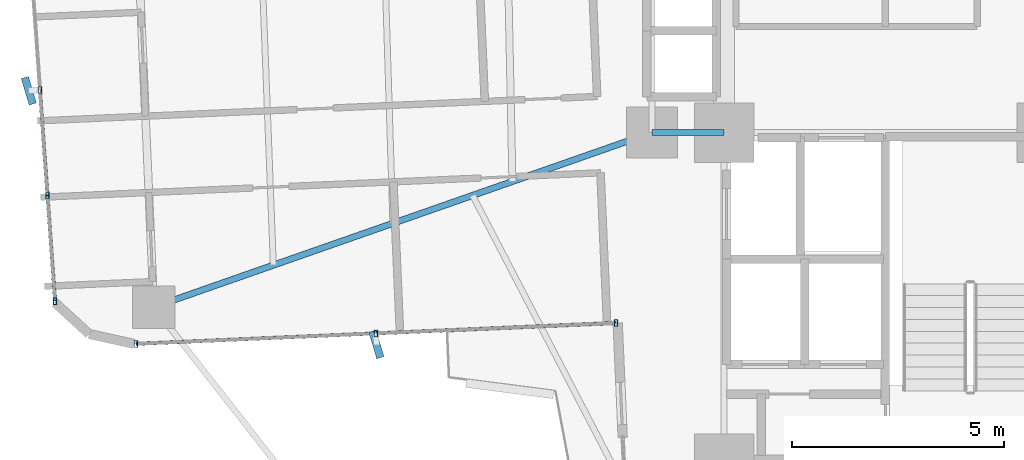
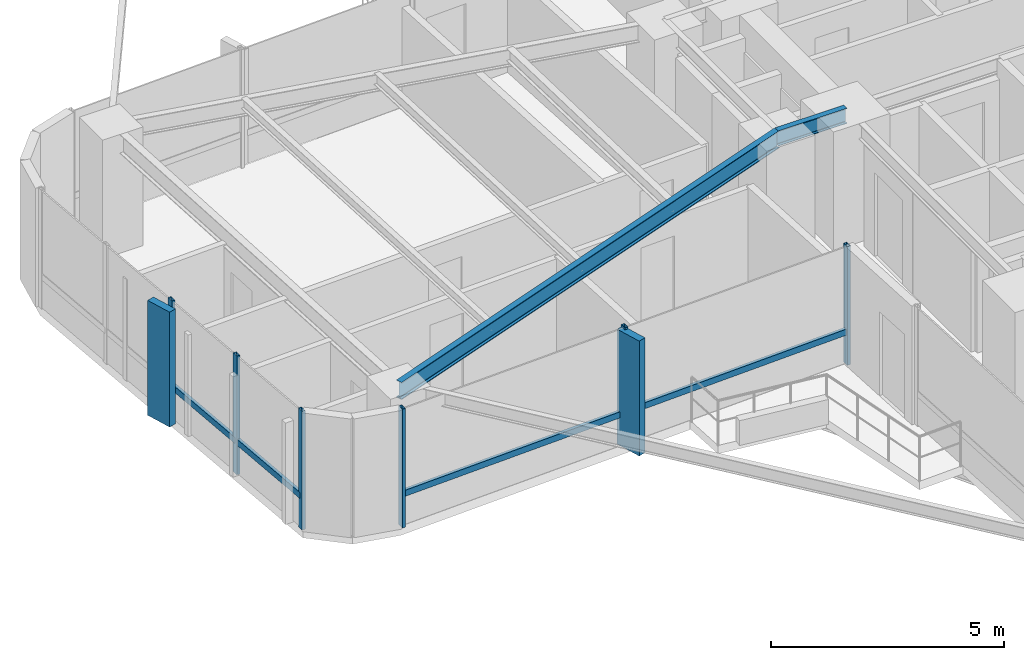
# One storey, part 8 of 26: 12 members, 2 beams, 2 elements without a shape of their own.
"""IFC4 building model written with IfcOpenShell, lengths in metres."""

from ifc_helpers import new_model, si_unit, direction, frame, origin, origin_2d, place, context, subcontext, project, spatial, rectangle, hollow_rectangle, i_section, extrude, source, transform, mapped, material, material_profile, profile_set, type_object, element, aggregate, save


model = new_model("IFC4")

# Units and contexts
model_context = context("Model", 3, precision=1e-05, world=origin(), true_north=direction((0.0, 1.0)))
body_context = subcontext(model_context, "Body", "Model", "MODEL_VIEW")
ifc_project = project(units=[si_unit("LENGTHUNIT", "METRE"), si_unit("AREAUNIT", "SQUARE_METRE"), si_unit("VOLUMEUNIT", "CUBIC_METRE"), si_unit("PLANEANGLEUNIT", "RADIAN"), si_unit("MASSUNIT", "GRAM", prefix="KILO")], contexts=[model_context])

# Site, building, storey
site_placement = place(None, origin())
site = spatial("IfcSite", under=ifc_project, at=site_placement, CompositionType="ELEMENT")
building_placement = place(site_placement, origin())
building = spatial("IfcBuilding", under=site, at=building_placement, Name="Sahyath Konkavel Grand Hotel", CompositionType="ELEMENT")
storey_placement = place(building_placement, frame((0.0, 0.0, 111.449951171875)))
storey = spatial("IfcBuildingStorey", under=building, at=storey_placement, Name="L30", CompositionType="ELEMENT", Elevation=111.449951171875)

# Beams
ifc_material_1 = material(Name="Steel E350", Category="steel")
ifc_material_profile_1 = material_profile(ifc_material_1, i_section(OverallWidth=0.139892578125, OverallDepth=0.39990234375, WebThickness=0.0087890625, FlangeThickness=0.01611328125, FilletRadius=0.013916015625, at=origin_2d()), Name="ISMB 400")
ifc_profile_set_1 = profile_set([ifc_material_profile_1], Name="Steel E350")
beam_type_1 = type_object("IfcBeamType", Name="BM-ISMB400", PredefinedType="BEAM", material=ifc_profile_set_1)
shared_shape_1 = source(origin(), body_context, "Body", "SweptSolid", [
    extrude(i_section(OverallWidth=0.139892578125, OverallDepth=0.39990234375, WebThickness=0.0087890625, FlangeThickness=0.01611328125, FilletRadius=0.013916015625, at=origin_2d()), origin(), (0.0, 0.0, 1.0), 1.699951171875),
])
beam_1_placement = place(storey_placement, frame((-5.5, -2.39990234375, 2.91015625), z_axis=(1.0, 0.0, 0.0), x_axis=(0.0, 1.0, 0.0)))
element("IfcBeam", 1, at=beam_1_placement, inside=storey, type_object=beam_type_1, Name="str:bm:L30:HB-SW", PredefinedType="BEAM", context=body_context, shape_type="MappedRepresentation", body=[
    mapped(shared_shape_1, transform((0.0, 0.0, 0.0), scale=1.0)),
])
ifc_material_profile_2 = material_profile(ifc_material_1, i_section(OverallWidth=0.14990234375, OverallDepth=0.449951171875, WebThickness=0.009521484375, FlangeThickness=0.017333984375, FilletRadius=0.014892578125, at=origin_2d()), Name="ISMB 450")
ifc_profile_set_2 = profile_set([ifc_material_profile_2], Name="Steel E350")
beam_type_2 = type_object("IfcBeamType", Name="BM-ISMB450", PredefinedType="BEAM", material=ifc_profile_set_2)
shared_shape_2 = source(origin(), body_context, "Body", "SweptSolid", [
    extrude(i_section(OverallWidth=0.14990234375, OverallDepth=0.449951171875, WebThickness=0.009521484375, FlangeThickness=0.017333984375, FilletRadius=0.014892578125, at=origin_2d()), origin(), (0.0, 0.0, 1.0), 12.430908203125),
])
beam_2_placement = place(storey_placement, frame((-5.5, -2.39990234375, 2.885009765625), z_axis=(-0.943819157235, -0.330462400941, 0.0), x_axis=(0.330462400941, -0.943819157235, 0.0)))
element("IfcBeam", 2, at=beam_2_placement, inside=storey, type_object=beam_type_2, Name="L30 Cruciform Radial Girder WB", PredefinedType="BEAM", context=body_context, shape_type="MappedRepresentation", body=[
    mapped(shared_shape_2, transform((0.0, 0.0, 0.0), scale=1.0)),
])

# Curtain wall, member
ifc_material_2 = material(Name="Anodised Bronze Aluminium & Low-E Glazing", Category="aluminium")
curtain_wall_type = type_object("IfcCurtainWallType", Name="CW-ZONE2", PredefinedType="NOTDEFINED", material=ifc_material_2)
curtain_wall_1_placement = place(storey_placement, origin())
curtain_wall_1 = element("IfcCurtainWall", 3, at=curtain_wall_1_placement, inside=storey, type_object=curtain_wall_type, Name="L30 Unitised Curtain Wall F20", PredefinedType="NOTDEFINED")
ifc_material_3 = material(Name="Warm Buff Sandstone Cladding on Concrete C50/60", Category="masonry")
ifc_material_profile_3 = material_profile(ifc_material_3, rectangle(XDim=0.179931640625, YDim=0.64990234375, at=origin_2d()), Name="FIN 180x650")
ifc_profile_set_3 = profile_set([ifc_material_profile_3], Name="Warm Buff Sandstone Cladding on Concrete C50/60")
member_type_1 = type_object("IfcMemberType", Name="FIN-SANDSTONE-650", PredefinedType="MULLION", material=ifc_profile_set_3)
shared_shape_3 = source(origin(), body_context, "Body", "SweptSolid", [
    extrude(rectangle(XDim=0.179931640625, YDim=0.64990234375, at=origin_2d()), origin(), (0.0, 0.0, 1.0), 3.010009765625),
])
member_1_placement = place(storey_placement, frame((-20.1767578125, -1.413818359375, 0.050048828125), z_axis=(0.0, 0.0, 1.0), x_axis=(0.958172857028, 0.286190104747, 0.0)))
member_1 = element("IfcMember", 4, at=member_1_placement, type_object=member_type_1, Name="L30 Sandstone Vertical Solar Fin FIN F20-2", PredefinedType="MULLION", context=body_context, shape_type="MappedRepresentation", body=[
    mapped(shared_shape_3, transform((0.0, 0.0, 0.0), scale=1.0)),
])

curtain_wall_2_placement = place(storey_placement, origin())
curtain_wall_2 = element("IfcCurtainWall", 5, at=curtain_wall_2_placement, inside=storey, type_object=curtain_wall_type, Name="L30 Unitised Curtain Wall F23", PredefinedType="NOTDEFINED")
member_2_placement = place(storey_placement, frame((-11.989013671875, -7.39013671875, 0.050048828125), z_axis=(0.0, 0.0, 1.0), x_axis=(0.958172857028, 0.286190104747, 0.0)))
member_2 = element("IfcMember", 6, at=member_2_placement, type_object=member_type_1, Name="L30 Sandstone Vertical Solar Fin FIN F23-1", PredefinedType="MULLION", context=body_context, shape_type="MappedRepresentation", body=[
    mapped(shared_shape_3, transform((0.0, 0.0, 0.0), scale=1.0)),
])

# Member
ifc_material_4 = material(Name="Anodised Bronze Aluminium", Category="aluminium")
ifc_material_profile_4 = material_profile(ifc_material_4, hollow_rectangle(XDim=0.080078125, YDim=0.159912109375, WallThickness=0.006103515625, at=origin_2d()), Name="RHS 160x80x6")
ifc_profile_set_4 = profile_set([ifc_material_profile_4], Name="Anodised Bronze Aluminium")
member_type_2 = type_object("IfcMemberType", Name="CW-MUL-160", PredefinedType="MULLION", material=ifc_profile_set_4)
shared_shape_4 = source(origin(), body_context, "Body", "SweptSolid", [
    extrude(hollow_rectangle(XDim=0.080078125, YDim=0.159912109375, WallThickness=0.006103515625, at=origin_2d()), origin(), (0.0, 0.0, 1.0), 3.110107421875),
])
member_3_placement = place(storey_placement, frame((-19.91748046875, -1.39501953125, 0.0), z_axis=(0.0, 0.0, 1.0), x_axis=(1.0, 0.0, 0.0)))
member_3 = element("IfcMember", 7, at=member_3_placement, type_object=member_type_2, Name="L30 Curtain Wall Mullion F20-2", PredefinedType="MULLION", context=body_context, shape_type="MappedRepresentation", body=[
    mapped(shared_shape_4, transform((0.0, 0.0, 0.0), scale=1.0)),
])

member_4_placement = place(storey_placement, frame((-19.739013671875, -3.882080078125, 0.0), z_axis=(0.0, 0.0, 1.0), x_axis=(1.0, 0.0, 0.0)))
member_4 = element("IfcMember", 8, at=member_4_placement, type_object=member_type_2, Name="L30 Curtain Wall Mullion F20-3", PredefinedType="MULLION", context=body_context, shape_type="MappedRepresentation", body=[
    mapped(shared_shape_4, transform((0.0, 0.0, 0.0), scale=1.0)),
])

member_5_placement = place(storey_placement, frame((-19.560546875, -6.369384765625, 0.0), z_axis=(0.0, 0.0, 1.0), x_axis=(1.0, 0.0, 0.0)))
member_5 = element("IfcMember", 9, at=member_5_placement, type_object=member_type_2, Name="L30 Curtain Wall Mullion F20-4", PredefinedType="MULLION", context=body_context, shape_type="MappedRepresentation", body=[
    mapped(shared_shape_4, transform((0.0, 0.0, 0.0), scale=1.0)),
])

member_6_placement = place(storey_placement, frame((-17.655029296875, -7.377197265625, 0.0), z_axis=(0.0, 0.0, 1.0), x_axis=(1.0, 0.0, 0.0)))
member_6 = element("IfcMember", 10, at=member_6_placement, type_object=member_type_2, Name="L30 Curtain Wall Mullion F23-0", PredefinedType="MULLION", context=body_context, shape_type="MappedRepresentation", body=[
    mapped(shared_shape_4, transform((0.0, 0.0, 0.0), scale=1.0)),
])

member_7_placement = place(storey_placement, frame((-12.00048828125, -7.13037109375, 0.0), z_axis=(0.0, 0.0, 1.0), x_axis=(1.0, 0.0, 0.0)))
member_7 = element("IfcMember", 11, at=member_7_placement, type_object=member_type_2, Name="L30 Curtain Wall Mullion F23-1", PredefinedType="MULLION", context=body_context, shape_type="MappedRepresentation", body=[
    mapped(shared_shape_4, transform((0.0, 0.0, 0.0), scale=1.0)),
])

member_8_placement = place(storey_placement, frame((-6.345703125, -6.88330078125, 0.0), z_axis=(0.0, 0.0, 1.0), x_axis=(1.0, 0.0, 0.0)))
member_8 = element("IfcMember", 12, at=member_8_placement, type_object=member_type_2, Name="L30 Curtain Wall Mullion F23-2", PredefinedType="MULLION", context=body_context, shape_type="MappedRepresentation", body=[
    mapped(shared_shape_4, transform((0.0, 0.0, 0.0), scale=1.0)),
])

ifc_material_profile_5 = material_profile(ifc_material_4, hollow_rectangle(XDim=0.080078125, YDim=0.159912109375, WallThickness=0.006103515625, at=origin_2d()), Name="RHS 160x80x6")
ifc_profile_set_5 = profile_set([ifc_material_profile_5], Name="Anodised Bronze Aluminium")
member_type_3 = type_object("IfcMemberType", Name="CW-TRN-160", PredefinedType="USERDEFINED", material=ifc_profile_set_5)
shared_shape_5 = source(origin(), body_context, "Body", "SweptSolid", [
    extrude(hollow_rectangle(XDim=0.080078125, YDim=0.159912109375, WallThickness=0.006103515625, at=origin_2d()), origin(), (0.0, 0.0, 1.0), 2.493408203125),
])
member_9_placement = place(storey_placement, frame((-19.91748046875, -1.39501953125, 0.85009765625), z_axis=(0.071574084062, -0.997435286367, 0.0), x_axis=(0.997435286367, 0.071574084062, 0.0)))
member_9 = element("IfcMember", 13, at=member_9_placement, type_object=member_type_3, Name="L30 Curtain Wall Transom F20-2-spandrel", ObjectType="TRANSOM", PredefinedType="USERDEFINED", context=body_context, shape_type="MappedRepresentation", body=[
    mapped(shared_shape_5, transform((0.0, 0.0, 0.0), scale=1.0)),
])

shared_shape_6 = source(origin(), body_context, "Body", "SweptSolid", [
    extrude(hollow_rectangle(XDim=0.080078125, YDim=0.159912109375, WallThickness=0.006103515625, at=origin_2d()), origin(), (0.0, 0.0, 1.0), 2.49365234375),
])
member_10_placement = place(storey_placement, frame((-19.739013671875, -3.882080078125, 0.85009765625), z_axis=(0.071567094714, -0.997435787885, 0.0), x_axis=(0.997435787885, 0.071567094714, 0.0)))
member_10 = element("IfcMember", 14, at=member_10_placement, type_object=member_type_3, Name="L30 Curtain Wall Transom F20-3-spandrel", ObjectType="TRANSOM", PredefinedType="USERDEFINED", context=body_context, shape_type="MappedRepresentation", body=[
    mapped(shared_shape_6, transform((0.0, 0.0, 0.0), scale=1.0)),
])

aggregate(curtain_wall_1, [member_3, member_1, member_4, member_5, member_9, member_10])

shared_shape_7 = source(origin(), body_context, "Body", "SweptSolid", [
    extrude(hollow_rectangle(XDim=0.080078125, YDim=0.159912109375, WallThickness=0.006103515625, at=origin_2d()), origin(), (0.0, 0.0, 1.0), 5.659912109375),
])
member_11_placement = place(storey_placement, frame((-17.655029296875, -7.377197265625, 0.85009765625), z_axis=(0.999048655935, 0.043609437898, 0.0), x_axis=(-0.043609437898, 0.999048655935, 0.0)))
member_11 = element("IfcMember", 15, at=member_11_placement, type_object=member_type_3, Name="L30 Curtain Wall Transom F23-0-spandrel", ObjectType="TRANSOM", PredefinedType="USERDEFINED", context=body_context, shape_type="MappedRepresentation", body=[
    mapped(shared_shape_7, transform((0.0, 0.0, 0.0), scale=1.0)),
])

shared_shape_8 = source(origin(), body_context, "Body", "SweptSolid", [
    extrude(hollow_rectangle(XDim=0.080078125, YDim=0.159912109375, WallThickness=0.006103515625, at=origin_2d()), origin(), (0.0, 0.0, 1.0), 5.66015625),
])
member_12_placement = place(storey_placement, frame((-12.00048828125, -7.13037109375, 0.85009765625), z_axis=(0.9990468579, 0.043650609628, 0.0), x_axis=(-0.043650609628, 0.9990468579, 0.0)))
member_12 = element("IfcMember", 16, at=member_12_placement, type_object=member_type_3, Name="L30 Curtain Wall Transom F23-1-spandrel", ObjectType="TRANSOM", PredefinedType="USERDEFINED", context=body_context, shape_type="MappedRepresentation", body=[
    mapped(shared_shape_8, transform((0.0, 0.0, 0.0), scale=1.0)),
])

aggregate(curtain_wall_2, [member_6, member_7, member_2, member_8, member_11, member_12])

save(model, "model.ifc")
